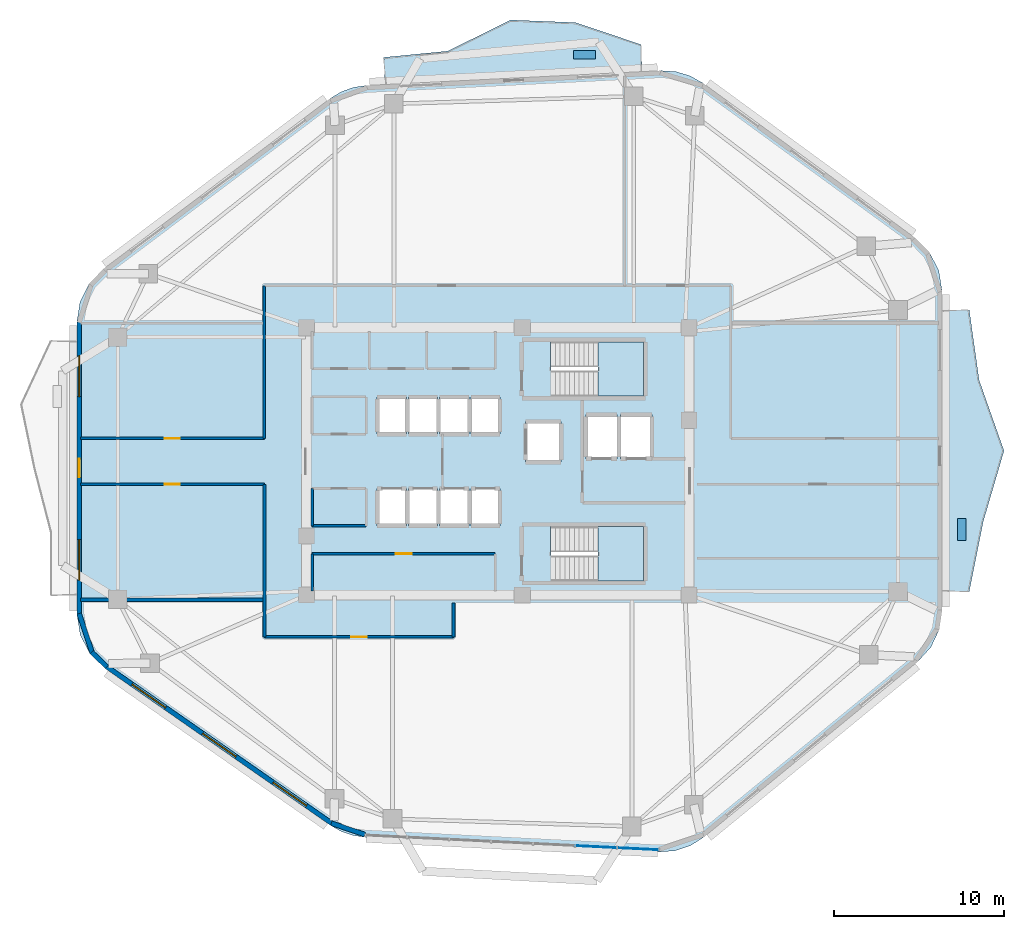
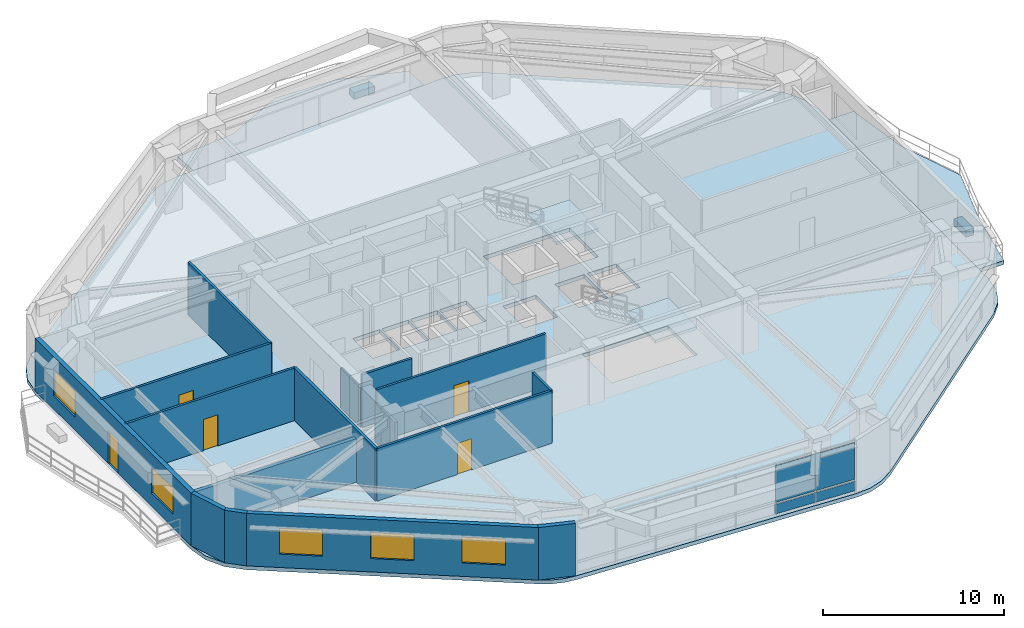
# One storey, part 8 of 14: 16 walls, 6 plates, 5 doors, 5 slabs, 5 windows, 10 openings, 3 elements without a shape of their own.
"""IFC4 building model written with IfcOpenShell, lengths in metres."""

from ifc_helpers import new_model, si_unit, direction, frame, frame_2d, origin, origin_2d, place, context, subcontext, project, spatial, polyline, rectangle, outline, extrude, material, layer, layer_set, type_object, element, fill, aggregate, save


model = new_model("IFC4")

# Units and contexts
model_context = context("Model", 3, precision=1e-05, world=origin(), true_north=direction((0.0, 1.0)))
body_context = subcontext(model_context, "Body", "Model", "MODEL_VIEW")
ifc_project = project(units=[si_unit("LENGTHUNIT", "METRE"), si_unit("AREAUNIT", "SQUARE_METRE"), si_unit("VOLUMEUNIT", "CUBIC_METRE"), si_unit("PLANEANGLEUNIT", "RADIAN"), si_unit("MASSUNIT", "GRAM", prefix="KILO")], contexts=[model_context])

# Site, building, storey
site_placement = place(None, origin())
site = spatial("IfcSite", under=ifc_project, at=site_placement, CompositionType="ELEMENT")
building_placement = place(site_placement, origin())
building = spatial("IfcBuilding", under=site, at=building_placement, Name="Zulverin Broadcast Headquarters", CompositionType="ELEMENT")
storey_placement = place(building_placement, frame((0.0, 0.0, 140.199951171875)))
storey = spatial("IfcBuildingStorey", under=building, at=storey_placement, Name="L35", CompositionType="ELEMENT", Elevation=140.199951171875)

# Curtain wall, plates
ifc_material_1 = material(Name="Waist wind-pressure unitised curtain wall", Category="aluminium")
curtain_wall_type = type_object("IfcCurtainWallType", Name="CW-TWR-WST", PredefinedType="USERDEFINED", material=ifc_material_1)
curtain_wall_placement = place(storey_placement, origin())
curtain_wall = element("IfcCurtainWall", 1, at=curtain_wall_placement, inside=storey, type_object=curtain_wall_type, Name="L35 Unitised Curtain Wall CW-L35-E1", ObjectType="UNITISED CURTAIN WALL", PredefinedType="USERDEFINED")
ifc_material_2 = material(Name="Low-E double-glazed pale-silver vision glass", Category="glass")
ifc_layer_1 = layer(ifc_material_2, 0.035888671875, Name="Low-E double-glazed pale-silver vision glass", Category="glass")
ifc_layer_set_1 = layer_set([ifc_layer_1], Name="Low-E double-glazed pale-silver vision glass")
plate_type_1 = type_object("IfcPlateType", Name="CW-PNL-GLZ", PredefinedType="CURTAIN_PANEL", material=ifc_layer_set_1)
plate_1_placement = place(storey_placement, frame((42.79541015625, 2.4814453125, 0.914794921875), z_axis=(0.0, 0.0, 1.0), x_axis=(0.99874387485, -0.050106610841, 0.0)))
plate_1 = element("IfcPlate", 2, at=plate_1_placement, type_object=plate_type_1, Name="CW-L35-E1 Vision Panel 05", PredefinedType="CURTAIN_PANEL", context=body_context, shape_type="SweptSolid", body=[
    extrude(rectangle(XDim=2.43603515625, YDim=0.035888671875, at=origin_2d()), origin(), (0.0, 0.0, 1.0), 2.4853515625),
])
plate_2_placement = place(storey_placement, frame((45.268310546875, 2.357421875, 0.914794921875), z_axis=(0.0, 0.0, 1.0), x_axis=(0.99874387485, -0.050106610841, 0.0)))
plate_2 = element("IfcPlate", 3, at=plate_2_placement, type_object=plate_type_1, Name="CW-L35-E1 Vision Panel 06", PredefinedType="CURTAIN_PANEL", context=body_context, shape_type="SweptSolid", body=[
    extrude(rectangle(XDim=2.43603515625, YDim=0.035888671875, at=origin_2d()), origin(), (0.0, 0.0, 1.0), 2.4853515625),
])
ifc_material_3 = material(Name="Insulated brushed pale-aluminium spandrel cassette", Category="aluminium")
ifc_layer_2 = layer(ifc_material_3, 0.050048828125, Name="Insulated brushed pale-aluminium spandrel cassette", Category="aluminium")
ifc_layer_set_2 = layer_set([ifc_layer_2], Name="Insulated brushed pale-aluminium spandrel cassette")
plate_type_2 = type_object("IfcPlateType", Name="CW-PNL-SPN", PredefinedType="CURTAIN_PANEL", material=ifc_layer_set_2)
plate_3_placement = place(storey_placement, frame((42.79541015625, 2.4814453125, 0.14013671875), z_axis=(0.0, 0.0, 1.0), x_axis=(0.99874387485, -0.050106610841, 0.0)))
plate_3 = element("IfcPlate", 4, at=plate_3_placement, type_object=plate_type_2, Name="CW-L35-E1 Spandrel Cassette 05", PredefinedType="CURTAIN_PANEL", context=body_context, shape_type="SweptSolid", body=[
    extrude(rectangle(XDim=2.43603515625, YDim=0.050048828125, at=origin_2d()), origin(), (0.0, 0.0, 1.0), 0.64453125),
])
plate_4_placement = place(storey_placement, frame((45.268310546875, 2.357421875, 0.14013671875), z_axis=(0.0, 0.0, 1.0), x_axis=(0.99874387485, -0.050106610841, 0.0)))
plate_4 = element("IfcPlate", 5, at=plate_4_placement, type_object=plate_type_2, Name="CW-L35-E1 Spandrel Cassette 06", PredefinedType="CURTAIN_PANEL", context=body_context, shape_type="SweptSolid", body=[
    extrude(rectangle(XDim=2.43603515625, YDim=0.050048828125, at=origin_2d()), origin(), (0.0, 0.0, 1.0), 0.64453125),
])
aggregate(curtain_wall, [plate_3, plate_1, plate_4, plate_2])

# Plates
ifc_material_4 = material(Name="Precast concrete C45/55", Category="concrete")
ifc_layer_3 = layer(ifc_material_4, 0.449951171875, Name="Precast concrete C45/55", Category="concrete")
ifc_layer_set_3 = layer_set([ifc_layer_3], Name="Precast concrete C45/55")
plate_type_3 = type_object("IfcPlateType", Name="PT-01_PRECAST_GFRC_TREE_PLANTER", PredefinedType="USERDEFINED", material=ifc_layer_set_3)
for number, where, z_axis, x_axis, name in (
    (6, (64.35009765625, 21.1728515625, -0.0048828125), (0.0, 0.0, 1.0), (0.0, 1.0, 0.0), "L35 Precast GFRC Tree Planter BAL_E"),
    (7, (42.133056640625, 49.156982421875, -0.0048828125), (0.0, 0.0, 1.0), (1.0, 0.0, 0.0), "L35 Precast GFRC Tree Planter BAL_N"),
):
    element("IfcPlate", number, at=place(storey_placement, frame(where, z_axis=z_axis, x_axis=x_axis)), inside=storey, type_object=plate_type_3, Name=name, ObjectType="PLANTER", PredefinedType="USERDEFINED", context=body_context, shape_type="SweptSolid", body=[
        extrude(rectangle(XDim=1.300048828125, YDim=0.5, at=origin_2d()), origin(), (0.0, 0.0, 1.0), 0.449951171875),
    ])

# Slabs
ifc_material_5 = material(Name="Concrete C40/50", Category="concrete")
ifc_layer_4 = layer(ifc_material_5, 0.260009765625, Name="Concrete C40/50", Category="concrete")
ifc_layer_set_4 = layer_set([ifc_layer_4], Name="Concrete C40/50")
slab_type_1 = type_object("IfcSlabType", Name="SLB-BAL-260", PredefinedType="FLOOR", material=ifc_layer_set_4)
slab_1_placement = place(storey_placement, frame((0.0, 0.0, -0.260009765625)))
element("IfcSlab", 8, at=slab_1_placement, inside=storey, type_object=slab_type_1, Name="L35 Cantilevered Planted Balcony Slab BAL_E", PredefinedType="FLOOR", context=body_context, shape_type="SweptSolid", body=[
    extrude(outline(polyline([(63.199951171875, 34.1298828125), (63.199951171875, 17.518310546875), (64.800048828125, 17.518310546875), (65.631591796875, 21.671142578125), (66.85009765625, 25.82421875), (65.385986328125, 29.97705078125), (64.800048828125, 34.1298828125), (63.199951171875, 34.1298828125)])), origin(), (0.0, 0.0, 1.0), 0.260009765625),
])
slab_2_placement = place(storey_placement, frame((0.0, 0.0, -0.260009765625)))
element("IfcSlab", 9, at=slab_2_placement, inside=storey, type_object=slab_type_1, Name="L35 Cantilevered Planted Balcony Slab BAL_N", PredefinedType="FLOOR", context=body_context, shape_type="SweptSolid", body=[
    extrude(outline(polyline([(30.364013671875, 47.4150390625), (45.526611328125, 48.17578125), (45.4462890625, 49.773681640625), (41.581298828125, 51.066162109375), (37.773681640625, 51.217041015625), (34.065185546875, 49.3857421875), (30.28369140625, 49.012939453125), (30.364013671875, 47.4150390625)])), origin(), (0.0, 0.0, 1.0), 0.260009765625),
])

# Stair, slab
stair_type = type_object("IfcStairType", Name="ST-CORE-1500", PredefinedType="HALF_TURN_STAIR", material=ifc_material_5)
stair_1_placement = place(storey_placement, origin())
stair_1 = element("IfcStair", 10, at=stair_1_placement, inside=storey, type_object=stair_type, Name="L35 Core Exit Stair ST-1", PredefinedType="HALF_TURN_STAIR")
ifc_layer_5 = layer(ifc_material_5, 0.199951171875, Name="Concrete C40/50", Category="concrete")
ifc_layer_set_5 = layer_set([ifc_layer_5], Name="Concrete C40/50")
slab_type_2 = type_object("IfcSlabType", Name="SLB-ST-LND200", PredefinedType="LANDING", material=ifc_layer_set_5)
slab_3_placement = place(storey_placement, frame((0.0, 0.0, 1.699951171875)))
slab_3 = element("IfcSlab", 11, at=slab_3_placement, type_object=slab_type_2, Name="ST-1 landing 1", PredefinedType="LANDING", context=body_context, shape_type="SweptSolid", body=[
    extrude(outline(polyline([(42.929931640625, 29.050048828125), (45.60009765625, 29.050048828125), (45.60009765625, 32.25), (42.929931640625, 32.25), (42.929931640625, 29.050048828125)])), origin(), (0.0, 0.0, 1.0), 0.2001953125),
])
aggregate(stair_1, [slab_3])

stair_2_placement = place(storey_placement, origin())
stair_2 = element("IfcStair", 12, at=stair_2_placement, inside=storey, type_object=stair_type, Name="L35 Core Exit Stair ST-2", PredefinedType="HALF_TURN_STAIR")
slab_4_placement = place(storey_placement, frame((0.0, 0.0, 1.699951171875)))
slab_4 = element("IfcSlab", 13, at=slab_4_placement, type_object=slab_type_2, Name="ST-2 landing 1", PredefinedType="LANDING", context=body_context, shape_type="SweptSolid", body=[
    extrude(outline(polyline([(42.929931640625, 18.14990234375), (45.60009765625, 18.14990234375), (45.60009765625, 21.35009765625), (42.929931640625, 21.35009765625), (42.929931640625, 18.14990234375)])), origin(), (0.0, 0.0, 1.0), 0.2001953125),
])
aggregate(stair_2, [slab_4])

# Slab
ifc_layer_6 = layer(ifc_material_5, 0.260009765625, Name="Concrete C40/50", Category="concrete")
ifc_layer_set_6 = layer_set([ifc_layer_6], Name="Concrete C40/50")
slab_type_3 = type_object("IfcSlabType", Name="SLB-TWR-260", PredefinedType="FLOOR", material=ifc_layer_set_6)
slab_5_placement = place(storey_placement, frame((0.0, 0.0, -0.260009765625)))
element("IfcSlab", 14, at=slab_5_placement, inside=storey, type_object=slab_type_3, Name="L35 Main Structural Floor Slab", PredefinedType="FLOOR", context=body_context, shape_type="SweptSolid", body=[
    extrude(outline(polyline([(27.155029296875, 3.73828125), (27.785400390625, 3.381591796875), (28.470947265625, 3.147216796875), (29.18798828125, 3.0439453125), (46.498779296875, 2.175537109375), (47.45263671875, 2.2451171875), (48.36083984375, 2.544677734375), (49.168701171875, 3.05615234375), (61.7744140625, 13.40380859375), (62.54296875, 14.251708984375), (63.031982421875, 15.286376953125), (63.199951171875, 16.418212890625), (63.199951171875, 35.22998046875), (63.010009765625, 36.4326171875), (62.458251953125, 37.517822265625), (61.598876953125, 38.38037109375), (49.119384765625, 47.486083984375), (48.351806640625, 47.922607421875), (47.506103515625, 48.175048828125), (46.625, 48.230712890625), (29.265380859375, 47.35986328125), (28.502197265625, 47.2451171875), (27.776611328125, 46.982421875), (27.116943359375, 46.581787109375), (13.756103515625, 36.5361328125), (12.919921875, 35.6767578125), (12.384521484375, 34.603759765625), (12.199951171875, 33.4189453125), (12.199951171875, 16.18701171875), (12.399169921875, 14.956787109375), (12.975830078125, 13.852294921875), (13.87158203125, 12.986083984375), (27.155029296875, 3.73828125)]), holes=[polyline([(40.155029296875, 30.75), (40.130126953125, 30.75), (40.130126953125, 32.25), (45.60009765625, 32.25), (45.60009765625, 29.050048828125), (40.155029296875, 29.050048828125), (40.155029296875, 30.75)]), polyline([(40.155029296875, 19.85009765625), (40.130126953125, 19.85009765625), (40.130126953125, 21.35009765625), (45.60009765625, 21.35009765625), (45.60009765625, 18.14990234375), (40.155029296875, 18.14990234375), (40.155029296875, 19.85009765625)]), polyline([(29.89990234375, 21.39990234375), (31.6201171875, 21.39990234375), (31.6201171875, 23.60009765625), (29.89990234375, 23.60009765625), (29.89990234375, 21.39990234375)]), polyline([(31.739990234375, 21.39990234375), (33.4599609375, 21.39990234375), (33.4599609375, 23.60009765625), (31.739990234375, 23.60009765625), (31.739990234375, 21.39990234375)]), polyline([(33.580078125, 21.39990234375), (35.300048828125, 21.39990234375), (35.300048828125, 23.60009765625), (33.580078125, 23.60009765625), (33.580078125, 21.39990234375)]), polyline([(35.419921875, 21.39990234375), (37.139892578125, 21.39990234375), (37.139892578125, 23.60009765625), (35.419921875, 23.60009765625), (35.419921875, 21.39990234375)]), polyline([(29.89990234375, 26.800048828125), (31.6201171875, 26.800048828125), (31.6201171875, 29.0), (29.89990234375, 29.0), (29.89990234375, 26.800048828125)]), polyline([(31.739990234375, 26.800048828125), (33.4599609375, 26.800048828125), (33.4599609375, 29.0), (31.739990234375, 29.0), (31.739990234375, 26.800048828125)]), polyline([(33.580078125, 26.800048828125), (35.300048828125, 26.800048828125), (35.300048828125, 29.0), (33.580078125, 29.0), (33.580078125, 26.800048828125)]), polyline([(35.419921875, 26.800048828125), (37.139892578125, 26.800048828125), (37.139892578125, 29.0), (35.419921875, 29.0), (35.419921875, 26.800048828125)]), polyline([(42.199951171875, 25.35009765625), (44.050048828125, 25.35009765625), (44.050048828125, 27.949951171875), (42.199951171875, 27.949951171875), (42.199951171875, 25.35009765625)]), polyline([(44.25, 25.35009765625), (46.10009765625, 25.35009765625), (46.10009765625, 27.949951171875), (44.25, 27.949951171875), (44.25, 25.35009765625)]), polyline([(38.64990234375, 25.14990234375), (40.75, 25.14990234375), (40.75, 27.550048828125), (38.64990234375, 27.550048828125), (38.64990234375, 25.14990234375)])]), origin(), (0.0, 0.0, 1.0), 0.260009765625),
])

# Wall
ifc_material_6 = material(Name="Double-stud acoustic drywall", Category="gypsum")
ifc_layer_7 = layer(ifc_material_6, 0.219970703125, Name="Double-stud acoustic drywall", Category="gypsum")
ifc_layer_set_7 = layer_set([ifc_layer_7], Name="Double-stud acoustic drywall")
wall_type_1 = type_object("IfcWallType", Name="WL-ACOU-220", PredefinedType="PARTITIONING", material=ifc_layer_set_7)
wall_1_placement = place(storey_placement, frame((12.405029296875, 17.050048828125, 0.0), z_axis=(0.0, 0.0, 1.0), x_axis=(1.0, 0.0, 0.0)))
element("IfcWall", 15, at=wall_1_placement, inside=storey, type_object=wall_type_1, Name="L35 Room Partition Wall RP-07", PredefinedType="PARTITIONING", context=body_context, shape_type="SweptSolid", body=[
    extrude(rectangle(XDim=10.843994140625, YDim=0.219970703125, at=frame_2d((5.421875, 0.0))), origin(), (0.0, 0.0, 1.0), 2.9228515625),
])

# Wall, openings, door, windows
ifc_material_7 = material(Name="Insulated pale-metal clad concrete spandrel C40/50", Category="concrete")
ifc_layer_8 = layer(ifc_material_7, 0.280029296875, Name="Insulated pale-metal clad concrete spandrel C40/50", Category="concrete")
ifc_layer_set_8 = layer_set([ifc_layer_8], Name="Insulated pale-metal clad concrete spandrel C40/50")
wall_type_2 = type_object("IfcWallType", Name="WL-EXT-280", PredefinedType="STANDARD", material=ifc_layer_set_8)
wall_2_placement = place(storey_placement, frame((12.340087890625, 33.4189453125, 0.0), z_axis=(0.0, 0.0, 1.0), x_axis=(0.0, -1.0, 0.0)))
wall_2 = element("IfcWall", 16, at=wall_2_placement, inside=storey, type_object=wall_type_2, Name="L35 Pale-Metal Clad Spandrel Wall 7", PredefinedType="STANDARD", context=body_context, shape_type="SweptSolid", body=[
    extrude(rectangle(XDim=17.23193359375, YDim=0.280029296875, at=frame_2d((8.615966796875, 0.0))), origin(), (0.0, 0.0, 1.0), 3.5400390625),
])
opening_1_placement = place(wall_2_placement, frame((8.06591796875, 0.0, 0.0)))
opening_1 = element("IfcOpeningElement", 17, at=opening_1_placement, cuts=wall_2, Name="Opening D-L35-TR7", PredefinedType="OPENING", context=body_context, shape_type="SweptSolid", body=[
    extrude(rectangle(XDim=1.10009765625, YDim=2.199951171875, at=frame_2d((0.550048828125, 1.10009765625))), frame((0.0, 0.14990234375, 0.0), z_axis=(0.0, -1.0, 0.0), x_axis=(1.0, 0.0, 0.0)), (0.0, 0.0, 1.0), 0.300048828125),
])
opening_2_placement = place(wall_2_placement, frame((2.00537109375, 0.0, 0.89990234375)))
opening_2 = element("IfcOpeningElement", 18, at=opening_2_placement, cuts=wall_2, Name="Opening W-L35-E71", PredefinedType="OPENING", context=body_context, shape_type="SweptSolid", body=[
    extrude(rectangle(XDim=2.39990234375, YDim=1.75, at=frame_2d((1.199951171875, 0.875))), frame((0.0, 0.14990234375, 0.0), z_axis=(0.0, -1.0, 0.0), x_axis=(1.0, 0.0, 0.0)), (0.0, 0.0, 1.0), 0.300048828125),
])
opening_3_placement = place(wall_2_placement, frame((12.82666015625, 0.0, 0.89990234375)))
opening_3 = element("IfcOpeningElement", 19, at=opening_3_placement, cuts=wall_2, Name="Opening W-L35-E72", PredefinedType="OPENING", context=body_context, shape_type="SweptSolid", body=[
    extrude(rectangle(XDim=2.39990234375, YDim=1.75, at=frame_2d((1.199951171875, 0.875))), frame((0.0, 0.14990234375, 0.0), z_axis=(0.0, -1.0, 0.0), x_axis=(1.0, 0.0, 0.0)), (0.0, 0.0, 1.0), 0.300048828125),
])
ifc_material_8 = material(Name="Thermally broken aluminium glazed", Category="aluminium")
door_type_1 = type_object("IfcDoorType", Name="DR-TERR-1100", OperationType="SINGLE_SWING_RIGHT", PredefinedType="DOOR", material=ifc_material_8)
door_1_placement = place(opening_1_placement, origin())
door_1 = element("IfcDoor", 20, at=door_1_placement, inside=storey, type_object=door_type_1, Name="L35 Planted Terrace Glazed Access Door 7", OperationType="SINGLE_SWING_RIGHT", OverallHeight=2.199951171875, OverallWidth=1.10009765625, PredefinedType="DOOR", context=body_context, shape_type="SweptSolid", body=[
    extrude(rectangle(XDim=1.10009765625, YDim=2.199951171875, at=frame_2d((0.550048828125, 1.10009765625))), frame((0.0, 0.02490234375, 0.0), z_axis=(0.0, -1.0, 0.0), x_axis=(1.0, 0.0, 0.0)), (0.0, 0.0, 1.0), 0.050048828125),
])
fill(opening_1, door_1)
ifc_material_9 = material(Name="Pale anodized aluminium frame with solar-control low-E double glazing", Category="aluminium")
window_type = type_object("IfcWindowType", Name="WIN-RIB-2400", PartitioningType="SINGLE_PANEL", PredefinedType="WINDOW", material=ifc_material_9)
window_1_placement = place(opening_2_placement, origin())
window_1 = element("IfcWindow", 21, at=window_1_placement, inside=storey, type_object=window_type, Name="L35 Ribbon Glazing Window 7 1", OverallHeight=1.75, OverallWidth=2.39990234375, PartitioningType="SINGLE_PANEL", PredefinedType="WINDOW", context=body_context, shape_type="SweptSolid", body=[
    extrude(rectangle(XDim=2.39990234375, YDim=1.75, at=frame_2d((1.199951171875, 0.875))), frame((0.0, 0.030029296875, 0.0), z_axis=(0.0, -1.0, 0.0), x_axis=(1.0, 0.0, 0.0)), (0.0, 0.0, 1.0), 0.06005859375),
])
fill(opening_2, window_1)
window_2_placement = place(opening_3_placement, origin())
window_2 = element("IfcWindow", 22, at=window_2_placement, inside=storey, type_object=window_type, Name="L35 Ribbon Glazing Window 7 2", OverallHeight=1.75, OverallWidth=2.39990234375, PartitioningType="SINGLE_PANEL", PredefinedType="WINDOW", context=body_context, shape_type="SweptSolid", body=[
    extrude(rectangle(XDim=2.39990234375, YDim=1.75, at=frame_2d((1.199951171875, 0.875))), frame((0.0, 0.030029296875, 0.0), z_axis=(0.0, -1.0, 0.0), x_axis=(1.0, 0.0, 0.0)), (0.0, 0.0, 1.0), 0.06005859375),
])
fill(opening_3, window_2)

# Wall, openings, windows
wall_3_placement = place(storey_placement, frame((13.95166015625, 13.10107421875, 0.0), z_axis=(0.0, 0.0, 1.0), x_axis=(0.820698239491, -0.571361881558, 0.0)))
wall_3 = element("IfcWall", 23, at=wall_3_placement, inside=storey, type_object=wall_type_2, Name="L35 Pale-Metal Clad Spandrel Wall 8", PredefinedType="STANDARD", context=body_context, shape_type="SweptSolid", body=[
    extrude(rectangle(XDim=16.185546875, YDim=0.280029296875, at=frame_2d((8.0927734375, 0.0))), origin(), (0.0, 0.0, 1.0), 3.5400390625),
])
opening_4_placement = place(wall_3_placement, frame((1.830810546875, 0.0, 0.89990234375)))
opening_4 = element("IfcOpeningElement", 24, at=opening_4_placement, cuts=wall_3, Name="Opening W-L35-E81", PredefinedType="OPENING", context=body_context, shape_type="SweptSolid", body=[
    extrude(rectangle(XDim=2.39990234375, YDim=1.75, at=frame_2d((1.199951171875, 0.875))), frame((0.0, 0.14990234375, 0.0), z_axis=(0.0, -1.0, 0.0), x_axis=(1.0, 0.0, 0.0)), (0.0, 0.0, 1.0), 0.300048828125),
])
opening_5_placement = place(wall_3_placement, frame((6.892578125, 0.0, 0.89990234375)))
opening_5 = element("IfcOpeningElement", 25, at=opening_5_placement, cuts=wall_3, Name="Opening W-L35-E82", PredefinedType="OPENING", context=body_context, shape_type="SweptSolid", body=[
    extrude(rectangle(XDim=2.39990234375, YDim=1.75, at=frame_2d((1.199951171875, 0.875))), frame((0.0, 0.14990234375, 0.0), z_axis=(0.0, -1.0, 0.0), x_axis=(1.0, 0.0, 0.0)), (0.0, 0.0, 1.0), 0.300048828125),
])
opening_6_placement = place(wall_3_placement, frame((11.95458984375, 0.0, 0.89990234375)))
opening_6 = element("IfcOpeningElement", 26, at=opening_6_placement, cuts=wall_3, Name="Opening W-L35-E83", PredefinedType="OPENING", context=body_context, shape_type="SweptSolid", body=[
    extrude(rectangle(XDim=2.39990234375, YDim=1.75, at=frame_2d((1.199951171875, 0.875))), frame((0.0, 0.14990234375, 0.0), z_axis=(0.0, -1.0, 0.0), x_axis=(1.0, 0.0, 0.0)), (0.0, 0.0, 1.0), 0.300048828125),
])
window_3_placement = place(opening_4_placement, origin())
window_3 = element("IfcWindow", 27, at=window_3_placement, inside=storey, type_object=window_type, Name="L35 Ribbon Glazing Window 8 1", OverallHeight=1.75, OverallWidth=2.39990234375, PartitioningType="SINGLE_PANEL", PredefinedType="WINDOW", context=body_context, shape_type="SweptSolid", body=[
    extrude(rectangle(XDim=2.39990234375, YDim=1.75, at=frame_2d((1.199951171875, 0.875))), frame((0.0, 0.030029296875, 0.0), z_axis=(0.0, -1.0, 0.0), x_axis=(1.0, 0.0, 0.0)), (0.0, 0.0, 1.0), 0.06005859375),
])
fill(opening_4, window_3)
window_4_placement = place(opening_5_placement, origin())
window_4 = element("IfcWindow", 28, at=window_4_placement, inside=storey, type_object=window_type, Name="L35 Ribbon Glazing Window 8 2", OverallHeight=1.75, OverallWidth=2.39990234375, PartitioningType="SINGLE_PANEL", PredefinedType="WINDOW", context=body_context, shape_type="SweptSolid", body=[
    extrude(rectangle(XDim=2.39990234375, YDim=1.75, at=frame_2d((1.199951171875, 0.875))), frame((0.0, 0.030029296875, 0.0), z_axis=(0.0, -1.0, 0.0), x_axis=(1.0, 0.0, 0.0)), (0.0, 0.0, 1.0), 0.06005859375),
])
fill(opening_5, window_4)
window_5_placement = place(opening_6_placement, origin())
window_5 = element("IfcWindow", 29, at=window_5_placement, inside=storey, type_object=window_type, Name="L35 Ribbon Glazing Window 8 3", OverallHeight=1.75, OverallWidth=2.39990234375, PartitioningType="SINGLE_PANEL", PredefinedType="WINDOW", context=body_context, shape_type="SweptSolid", body=[
    extrude(rectangle(XDim=2.39990234375, YDim=1.75, at=frame_2d((1.199951171875, 0.875))), frame((0.0, 0.030029296875, 0.0), z_axis=(0.0, -1.0, 0.0), x_axis=(1.0, 0.0, 0.0)), (0.0, 0.0, 1.0), 0.06005859375),
])
fill(opening_6, window_5)

# Walls
wall_4_placement = place(storey_placement, frame((12.3330078125, 16.231201171875, 0.0), z_axis=(0.0, 0.0, 1.0), x_axis=(0.315364302967, -0.94897068259, 0.0)))
element("IfcWall", 30, at=wall_4_placement, inside=storey, type_object=wall_type_2, Name="L35 Wind-Shaped Corner Spandrel Wall 7-1", PredefinedType="STANDARD", context=body_context, shape_type="SweptSolid", body=[
    extrude(rectangle(XDim=2.460205078125, YDim=0.280029296875, at=frame_2d((1.22998046875, 0.0))), origin(), (0.0, 0.0, 1.0), 3.5400390625),
])
wall_5_placement = place(storey_placement, frame((13.0732421875, 13.952880859375, 0.0), z_axis=(0.0, 0.0, 1.0), x_axis=(0.718958999036, -0.695052485576, 0.0)))
element("IfcWall", 31, at=wall_5_placement, inside=storey, type_object=wall_type_2, Name="L35 Wind-Shaped Corner Spandrel Wall 7-2", PredefinedType="STANDARD", context=body_context, shape_type="SweptSolid", body=[
    extrude(rectangle(XDim=1.245849609375, YDim=0.280029296875, at=frame_2d((0.623046875, 0.0))), origin(), (0.0, 0.0, 1.0), 3.5400390625),
])
wall_6_placement = place(storey_placement, frame((27.2001953125, 3.870849609375, 0.0), z_axis=(0.0, 0.0, 1.0), x_axis=(0.94632537852, -0.323215528664, 0.0)))
element("IfcWall", 32, at=wall_6_placement, inside=storey, type_object=wall_type_2, Name="L35 Wind-Shaped Corner Spandrel Wall 8-1", PredefinedType="STANDARD", context=body_context, shape_type="SweptSolid", body=[
    extrude(rectangle(XDim=2.083251953125, YDim=0.280029296875, at=frame_2d((1.04150390625, 0.0))), origin(), (0.0, 0.0, 1.0), 3.5400390625),
])

# Wall, opening, door
ifc_material_10 = material(Name="Fire-rated gypsum stud partition", Category="gypsum")
ifc_layer_9 = layer(ifc_material_10, 0.14990234375, Name="Fire-rated gypsum stud partition", Category="gypsum")
ifc_layer_set_9 = layer_set([ifc_layer_9], Name="Fire-rated gypsum stud partition")
wall_type_3 = type_object("IfcWallType", Name="WL-PART-150", PredefinedType="PARTITIONING", material=ifc_layer_set_9)
wall_7_placement = place(storey_placement, frame((26.070068359375, 19.75, 0.0), z_axis=(0.0, 0.0, 1.0), x_axis=(1.0, 0.0, 0.0)))
wall_7 = element("IfcWall", 33, at=wall_7_placement, inside=storey, type_object=wall_type_3, Name="L35 Core Female WC & Facilities Room Front Wall", PredefinedType="PARTITIONING", context=body_context, shape_type="SweptSolid", body=[
    extrude(rectangle(XDim=10.780029296875, YDim=0.14990234375, at=frame_2d((5.39013671875, 0.0))), origin(), (0.0, 0.0, 1.0), 3.5400390625),
])
opening_7_placement = place(wall_7_placement, frame((4.9150390625, 0.0, 0.0)))
opening_7 = element("IfcOpeningElement", 34, at=opening_7_placement, cuts=wall_7, Name="Opening D-L35-SC1", PredefinedType="OPENING", context=body_context, shape_type="SweptSolid", body=[
    extrude(rectangle(XDim=0.949951171875, YDim=2.10009765625, at=frame_2d((0.47509765625, 1.050048828125))), frame((0.0, 0.0849609375, 0.0), z_axis=(0.0, -1.0, 0.0), x_axis=(1.0, 0.0, 0.0)), (0.0, 0.0, 1.0), 0.169921875),
])
ifc_material_11 = material(Name="Fire-rated moisture-resistant laminate leaf", Category="wood")
door_type_2 = type_object("IfcDoorType", Name="DR-WC-950", OperationType="SINGLE_SWING_LEFT", PredefinedType="DOOR", material=ifc_material_11)
door_2_placement = place(opening_7_placement, origin())
door_2 = element("IfcDoor", 35, at=door_2_placement, inside=storey, type_object=door_type_2, Name="L35 Female WC & Facilities Room Door", OperationType="SINGLE_SWING_RIGHT", OverallHeight=2.10009765625, OverallWidth=0.949951171875, PredefinedType="DOOR", context=body_context, shape_type="SweptSolid", body=[
    extrude(rectangle(XDim=0.949951171875, YDim=2.10009765625, at=frame_2d((0.47509765625, 1.050048828125))), frame((0.0, 0.02490234375, 0.0), z_axis=(0.0, -1.0, 0.0), x_axis=(1.0, 0.0, 0.0)), (0.0, 0.0, 1.0), 0.050048828125),
])
fill(opening_7, door_2)

# Walls
wall_8_placement = place(storey_placement, frame((26.070068359375, 17.550048828125, 0.0), z_axis=(0.0, 0.0, 1.0), x_axis=(0.0, 1.0, 0.0)))
element("IfcWall", 36, at=wall_8_placement, inside=storey, type_object=wall_type_3, Name="L35 Core Female WC & Facilities Room West Wall", PredefinedType="PARTITIONING", context=body_context, shape_type="SweptSolid", body=[
    extrude(rectangle(XDim=2.199951171875, YDim=0.14990234375, at=frame_2d((1.10009765625, 0.0))), origin(), (0.0, 0.0, 1.0), 2.64013671875),
])
wall_9_placement = place(storey_placement, frame((26.070068359375, 21.39990234375, 0.0), z_axis=(0.0, 0.0, 1.0), x_axis=(1.0, 0.0, 0.0)))
element("IfcWall", 37, at=wall_9_placement, inside=storey, type_object=wall_type_3, Name="L35 Media Ingestion Server Room S Wall", PredefinedType="PARTITIONING", context=body_context, shape_type="SweptSolid", body=[
    extrude(rectangle(XDim=3.179931640625, YDim=0.14990234375, at=frame_2d((1.58984375, 0.0))), origin(), (0.0, 0.0, 1.0), 3.5400390625),
])
wall_10_placement = place(storey_placement, frame((26.070068359375, 21.39990234375, 0.0), z_axis=(0.0, 0.0, 1.0), x_axis=(0.0, 1.0, 0.0)))
element("IfcWall", 38, at=wall_10_placement, inside=storey, type_object=wall_type_3, Name="L35 Media Ingestion Server Room W Wall", PredefinedType="PARTITIONING", context=body_context, shape_type="SweptSolid", body=[
    extrude(rectangle(XDim=2.2001953125, YDim=0.14990234375, at=frame_2d((1.10009765625, 0.0))), origin(), (0.0, 0.0, 1.0), 2.64013671875),
])
wall_11_placement = place(storey_placement, frame((34.39990234375, 14.85009765625, 0.0), z_axis=(0.0, 0.0, 1.0), x_axis=(0.0, 1.0, 0.0)))
element("IfcWall", 39, at=wall_11_placement, inside=storey, type_object=wall_type_3, Name="L35 Gallery Partition Wall CG-03", PredefinedType="PARTITIONING", context=body_context, shape_type="SweptSolid", body=[
    extrude(rectangle(XDim=2.010009765625, YDim=0.14990234375, at=frame_2d((1.0048828125, 0.0))), origin(), (0.0, 0.0, 1.0), 3.5400390625),
])
wall_12_placement = place(storey_placement, frame((23.25, 26.550048828125, 0.0), z_axis=(0.0, 0.0, 1.0), x_axis=(0.0, 1.0, 0.0)))
element("IfcWall", 40, at=wall_12_placement, inside=storey, type_object=wall_type_3, Name="L35 Gallery Partition Wall CG-05", PredefinedType="PARTITIONING", context=body_context, shape_type="SweptSolid", body=[
    extrude(rectangle(XDim=9.0, YDim=0.14990234375, at=frame_2d((4.5, 0.0))), origin(), (0.0, 0.0, 1.0), 3.5400390625),
])

# Wall, opening, door
wall_13_placement = place(storey_placement, frame((23.25, 14.85009765625, 0.0), z_axis=(0.0, 0.0, 1.0), x_axis=(1.0, 0.0, 0.0)))
wall_13 = element("IfcWall", 41, at=wall_13_placement, inside=storey, type_object=wall_type_3, Name="L35 Gallery Partition Wall CG-06", PredefinedType="PARTITIONING", context=body_context, shape_type="SweptSolid", body=[
    extrude(rectangle(XDim=11.14990234375, YDim=0.14990234375, at=frame_2d((5.574951171875, 0.0))), origin(), (0.0, 0.0, 1.0), 3.5400390625),
])
opening_8_placement = place(wall_13_placement, frame((5.125, 0.0, 0.0)))
opening_8 = element("IfcOpeningElement", 42, at=opening_8_placement, cuts=wall_13, Name="Opening D-L35-03", PredefinedType="OPENING", context=body_context, shape_type="SweptSolid", body=[
    extrude(rectangle(XDim=0.89990234375, YDim=2.10009765625, at=frame_2d((0.449951171875, 1.050048828125))), frame((0.0, 0.0849609375, 0.0), z_axis=(0.0, -1.0, 0.0), x_axis=(1.0, 0.0, 0.0)), (0.0, 0.0, 1.0), 0.169921875),
])
ifc_material_12 = material(Name="Fire-rated hardwood veneer timber leaf", Category="wood")
door_type_3 = type_object("IfcDoorType", Name="DR-ROOM-900", OperationType="SINGLE_SWING_RIGHT", PredefinedType="DOOR", material=ifc_material_12)
door_3_placement = place(opening_8_placement, origin())
door_3 = element("IfcDoor", 43, at=door_3_placement, inside=storey, type_object=door_type_3, Name="L35 Forecast Briefing Room Door", OperationType="SINGLE_SWING_RIGHT", OverallHeight=2.10009765625, OverallWidth=0.89990234375, PredefinedType="DOOR", context=body_context, shape_type="SweptSolid", body=[
    extrude(rectangle(XDim=0.89990234375, YDim=2.10009765625, at=frame_2d((0.449951171875, 1.050048828125))), frame((0.0, 0.02490234375, 0.0), z_axis=(0.0, -1.0, 0.0), x_axis=(1.0, 0.0, 0.0)), (0.0, 0.0, 1.0), 0.050048828125),
])
fill(opening_8, door_3)

wall_14_placement = place(storey_placement, frame((12.405029296875, 23.85009765625, 0.0), z_axis=(0.0, 0.0, 1.0), x_axis=(1.0, 0.0, 0.0)))
wall_14 = element("IfcWall", 44, at=wall_14_placement, inside=storey, type_object=wall_type_3, Name="L35 Gallery Partition Wall CG-09", PredefinedType="PARTITIONING", context=body_context, shape_type="SweptSolid", body=[
    extrude(rectangle(XDim=10.844970703125, YDim=0.14990234375, at=frame_2d((5.42236328125, 0.0))), origin(), (0.0, 0.0, 1.0), 3.5400390625),
])
opening_9_placement = place(wall_14_placement, frame((4.972412109375, 0.0, 0.0)))
opening_9 = element("IfcOpeningElement", 45, at=opening_9_placement, cuts=wall_14, Name="Opening D-L35-04", PredefinedType="OPENING", context=body_context, shape_type="SweptSolid", body=[
    extrude(rectangle(XDim=0.89990234375, YDim=2.10009765625, at=frame_2d((0.449951171875, 1.050048828125))), frame((0.0, 0.0849609375, 0.0), z_axis=(0.0, -1.0, 0.0), x_axis=(1.0, 0.0, 0.0)), (0.0, 0.0, 1.0), 0.169921875),
])
door_4_placement = place(opening_9_placement, origin())
door_4 = element("IfcDoor", 46, at=door_4_placement, inside=storey, type_object=door_type_3, Name="L35 Research Library Door", OperationType="SINGLE_SWING_LEFT", OverallHeight=2.10009765625, OverallWidth=0.89990234375, PredefinedType="DOOR", context=body_context, shape_type="SweptSolid", body=[
    extrude(rectangle(XDim=0.89990234375, YDim=2.10009765625, at=frame_2d((0.449951171875, 1.050048828125))), frame((0.0, 0.02490234375, 0.0), z_axis=(0.0, -1.0, 0.0), x_axis=(1.0, 0.0, 0.0)), (0.0, 0.0, 1.0), 0.050048828125),
])
fill(opening_9, door_4)

wall_15_placement = place(storey_placement, frame((12.405029296875, 26.550048828125, 0.0), z_axis=(0.0, 0.0, 1.0), x_axis=(1.0, 0.0, 0.0)))
wall_15 = element("IfcWall", 47, at=wall_15_placement, inside=storey, type_object=wall_type_3, Name="L35 Gallery Partition Wall CG-11", PredefinedType="PARTITIONING", context=body_context, shape_type="SweptSolid", body=[
    extrude(rectangle(XDim=10.844970703125, YDim=0.14990234375, at=frame_2d((5.42236328125, 0.0))), origin(), (0.0, 0.0, 1.0), 3.5400390625),
])
opening_10_placement = place(wall_15_placement, frame((4.972412109375, 0.0, 0.0)))
opening_10 = element("IfcOpeningElement", 48, at=opening_10_placement, cuts=wall_15, Name="Opening D-L35-05", PredefinedType="OPENING", context=body_context, shape_type="SweptSolid", body=[
    extrude(rectangle(XDim=0.89990234375, YDim=2.10009765625, at=frame_2d((0.449951171875, 1.050048828125))), frame((0.0, 0.0849609375, 0.0), z_axis=(0.0, -1.0, 0.0), x_axis=(1.0, 0.0, 0.0)), (0.0, 0.0, 1.0), 0.169921875),
])
door_5_placement = place(opening_10_placement, origin())
door_5 = element("IfcDoor", 49, at=door_5_placement, inside=storey, type_object=door_type_3, Name="L35 Refreshment Servery Door", OperationType="SINGLE_SWING_RIGHT", OverallHeight=2.10009765625, OverallWidth=0.89990234375, PredefinedType="DOOR", context=body_context, shape_type="SweptSolid", body=[
    extrude(rectangle(XDim=0.89990234375, YDim=2.10009765625, at=frame_2d((0.449951171875, 1.050048828125))), frame((0.0, 0.02490234375, 0.0), z_axis=(0.0, -1.0, 0.0), x_axis=(1.0, 0.0, 0.0)), (0.0, 0.0, 1.0), 0.050048828125),
])
fill(opening_10, door_5)

# Wall
ifc_material_13 = material(Name="Fire-rated acoustic stud wall", Category="gypsum")
ifc_layer_10 = layer(ifc_material_13, 0.175048828125, Name="Fire-rated acoustic stud wall", Category="gypsum")
ifc_layer_set_10 = layer_set([ifc_layer_10], Name="Fire-rated acoustic stud wall")
wall_type_4 = type_object("IfcWallType", Name="WL-PART-175", PredefinedType="PARTITIONING", material=ifc_layer_set_10)
wall_16_placement = place(storey_placement, frame((23.25, 14.85009765625, 0.0), z_axis=(0.0, 0.0, 1.0), x_axis=(0.0, 1.0, 0.0)))
element("IfcWall", 50, at=wall_16_placement, inside=storey, type_object=wall_type_4, Name="L35 Gallery Partition Wall CG-04", PredefinedType="PARTITIONING", context=body_context, shape_type="SweptSolid", body=[
    extrude(rectangle(XDim=9.0, YDim=0.175048828125, at=frame_2d((4.5, 0.0))), origin(), (0.0, 0.0, 1.0), 3.5400390625),
])

save(model, "model.ifc")
